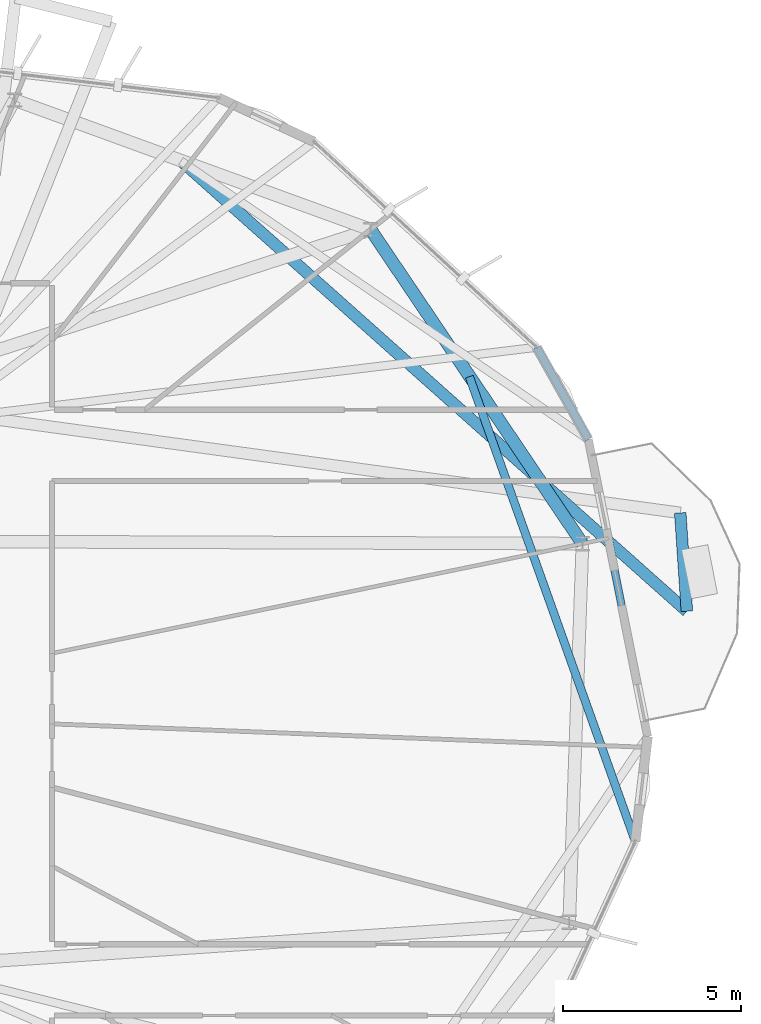
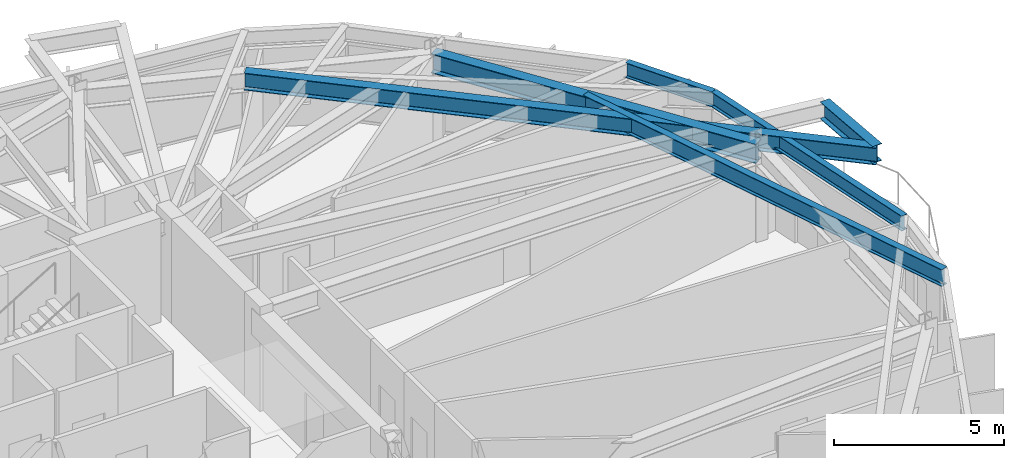
# One storey, part 12 of 25: 6 beams.
"""IFC4 building model written with IfcOpenShell, lengths in metres."""

from ifc_helpers import new_model, si_unit, direction, frame, origin, origin_2d, place, context, subcontext, project, spatial, i_section, extrude, material, material_profile, profile_set, type_object, element, save


model = new_model("IFC4")

# Units and contexts
model_context = context("Model", 3, precision=1e-05, world=origin(), true_north=direction((0.0, 1.0)))
body_context = subcontext(model_context, "Body", "Model", "MODEL_VIEW")
ifc_project = project(units=[si_unit("LENGTHUNIT", "METRE"), si_unit("AREAUNIT", "SQUARE_METRE"), si_unit("VOLUMEUNIT", "CUBIC_METRE"), si_unit("PLANEANGLEUNIT", "RADIAN"), si_unit("MASSUNIT", "GRAM", prefix="KILO")], contexts=[model_context])

# Site, building, storey
site_placement = place(None, origin())
site = spatial("IfcSite", under=ifc_project, at=site_placement, CompositionType="ELEMENT")
building_placement = place(site_placement, origin())
building = spatial("IfcBuilding", under=site, at=building_placement, Name="Soratama Intermodal Tower", CompositionType="ELEMENT")
storey_placement = place(building_placement, frame((0.0, 0.0, 272.5)))
storey = spatial("IfcBuildingStorey", under=building, at=storey_placement, Name="L69", CompositionType="ELEMENT", Elevation=272.5)

# Beams
ifc_material_1 = material(Name="Structural steel ASTM A992 Grade 50", Category="steel")
ifc_material_profile_1 = material_profile(ifc_material_1, i_section(OverallWidth=0.324951171875, OverallDepth=0.615966796875, WebThickness=0.013916015625, FlangeThickness=0.021484375, FilletRadius=0.013916015625, at=origin_2d()), Name="W24X117")
ifc_profile_set_1 = profile_set([ifc_material_profile_1], Name="Structural steel ASTM A992 Grade 50")
beam_type_1 = type_object("IfcBeamType", Name="BM-CANT-W24X117", PredefinedType="BEAM", material=ifc_profile_set_1)
beam_1_placement = place(storey_placement, frame((64.465087890625, 27.843994140625, 3.14208984375), z_axis=(-0.067251206466, 0.997736074936, 0.0), x_axis=(-0.997736074936, -0.067251206466, 0.0)))
element("IfcBeam", 1, at=beam_1_placement, inside=storey, type_object=beam_type_1, Name="BM-L69-CBHDR-1", PredefinedType="BEAM", context=body_context, shape_type="SweptSolid", body=[
    extrude(i_section(OverallWidth=0.324951171875, OverallDepth=0.615966796875, WebThickness=0.013916015625, FlangeThickness=0.021484375, FilletRadius=0.013916015625, at=origin_2d()), origin(), (0.0, 0.0, 1.0), 2.766357421875),
])
beam_2_placement = place(storey_placement, frame((50.2919921875, 40.466064453125, 3.14208984375), z_axis=(0.746787266413, -0.665062988538, 0.0), x_axis=(0.665062988538, 0.746787266413, 0.0)))
element("IfcBeam", 2, at=beam_2_placement, inside=storey, type_object=beam_type_1, Name="BM-L69-CANT-1-1", PredefinedType="BEAM", context=body_context, shape_type="SweptSolid", body=[
    extrude(i_section(OverallWidth=0.324951171875, OverallDepth=0.615966796875, WebThickness=0.013916015625, FlangeThickness=0.021484375, FilletRadius=0.013916015625, at=origin_2d()), origin(), (0.0, 0.0, 1.0), 18.978759765625),
])
ifc_material_2 = material(Name="Structural steel ASTM A992 Grade 50", Category="steel")
ifc_material_profile_2 = material_profile(ifc_material_2, i_section(OverallWidth=0.35498046875, OverallDepth=0.695068359375, WebThickness=0.015380859375, FlangeThickness=0.02490234375, FilletRadius=0.01611328125, at=origin_2d()), Name="W27X146")
ifc_profile_set_2 = profile_set([ifc_material_profile_2], Name="Structural steel ASTM A992 Grade 50")
beam_type_2 = type_object("IfcBeamType", Name="BM-RING-W27X146", PredefinedType="BEAM", material=ifc_profile_set_2)
beam_3_placement = place(storey_placement, frame((61.533935546875, 29.740966796875, 3.1025390625), z_axis=(-0.559218025165, 0.829020627204, 0.0), x_axis=(-0.829020627204, -0.559218025165, 0.0)))
element("IfcBeam", 3, at=beam_3_placement, inside=storey, type_object=beam_type_2, Name="BM-L69-RING-01", PredefinedType="BEAM", context=body_context, shape_type="SweptSolid", body=[
    extrude(i_section(OverallWidth=0.35498046875, OverallDepth=0.695068359375, WebThickness=0.015380859375, FlangeThickness=0.02490234375, FilletRadius=0.01611328125, at=origin_2d()), origin(), (0.0, 0.0, 1.0), 10.630615234375),
])
ifc_material_3 = material(Name="Structural steel ASTM A992 Grade 50", Category="steel")
ifc_material_profile_3 = material_profile(ifc_material_3, i_section(OverallWidth=0.2099609375, OverallDepth=0.537109375, WebThickness=0.010986328125, FlangeThickness=0.017333984375, FilletRadius=0.012939453125, at=origin_2d()), Name="W21X68")
ifc_profile_set_3 = profile_set([ifc_material_profile_3], Name="Structural steel ASTM A992 Grade 50")
beam_type_3 = type_object("IfcBeamType", Name="BM-SPN-W21X68", PredefinedType="SPANDREL", material=ifc_profile_set_3)
beam_4_placement = place(storey_placement, frame((63.365966796875, 24.330078125, 3.181396484375), z_axis=(-0.195674193289, 0.980668960496, 0.0), x_axis=(-0.980668960496, -0.195674193289, 0.0)))
element("IfcBeam", 4, at=beam_4_placement, inside=storey, type_object=beam_type_3, Name="BS-L69-F09", PredefinedType="SPANDREL", context=body_context, shape_type="SweptSolid", body=[
    extrude(i_section(OverallWidth=0.2099609375, OverallDepth=0.537109375, WebThickness=0.010986328125, FlangeThickness=0.017333984375, FilletRadius=0.012939453125, at=origin_2d()), origin(), (0.0, 0.0, 1.0), 8.499267578125),
])
beam_5_placement = place(storey_placement, frame((61.702880859375, 32.6650390625, 3.181396484375), z_axis=(-0.489041812843, 0.872260342611, 0.0), x_axis=(-0.872260342611, -0.489041812843, 0.0)))
element("IfcBeam", 5, at=beam_5_placement, inside=storey, type_object=beam_type_3, Name="BS-L69-CRN09", PredefinedType="SPANDREL", context=body_context, shape_type="SweptSolid", body=[
    extrude(i_section(OverallWidth=0.2099609375, OverallDepth=0.537109375, WebThickness=0.010986328125, FlangeThickness=0.017333984375, FilletRadius=0.012939453125, at=origin_2d()), origin(), (0.0, 0.0, 1.0), 2.966796875),
])
ifc_material_4 = material(Name="Structural steel ASTM A992 Grade 50", Category="steel")
ifc_material_profile_4 = material_profile(ifc_material_4, i_section(OverallWidth=0.22900390625, OverallDepth=0.612060546875, WebThickness=0.011962890625, FlangeThickness=0.01953125, FilletRadius=0.012939453125, at=origin_2d()), Name="W24X84")
ifc_profile_set_4 = profile_set([ifc_material_profile_4], Name="Structural steel ASTM A992 Grade 50")
beam_type_4 = type_object("IfcBeamType", Name="BM-TIE-W24X84", PredefinedType="BEAM", material=ifc_profile_set_4)
beam_6_placement = place(storey_placement, frame((58.361083984375, 34.427001953125, 3.14404296875), z_axis=(0.33629843168, -0.941755469774, 0.0), x_axis=(0.941755469774, 0.33629843168, 0.0)))
element("IfcBeam", 6, at=beam_6_placement, inside=storey, type_object=beam_type_4, Name="BM-L69-TIE1-08", PredefinedType="BEAM", context=body_context, shape_type="SweptSolid", body=[
    extrude(i_section(OverallWidth=0.22900390625, OverallDepth=0.612060546875, WebThickness=0.011962890625, FlangeThickness=0.01953125, FilletRadius=0.012939453125, at=origin_2d()), origin(), (0.0, 0.0, 1.0), 13.8505859375),
])

save(model, "model.ifc")
